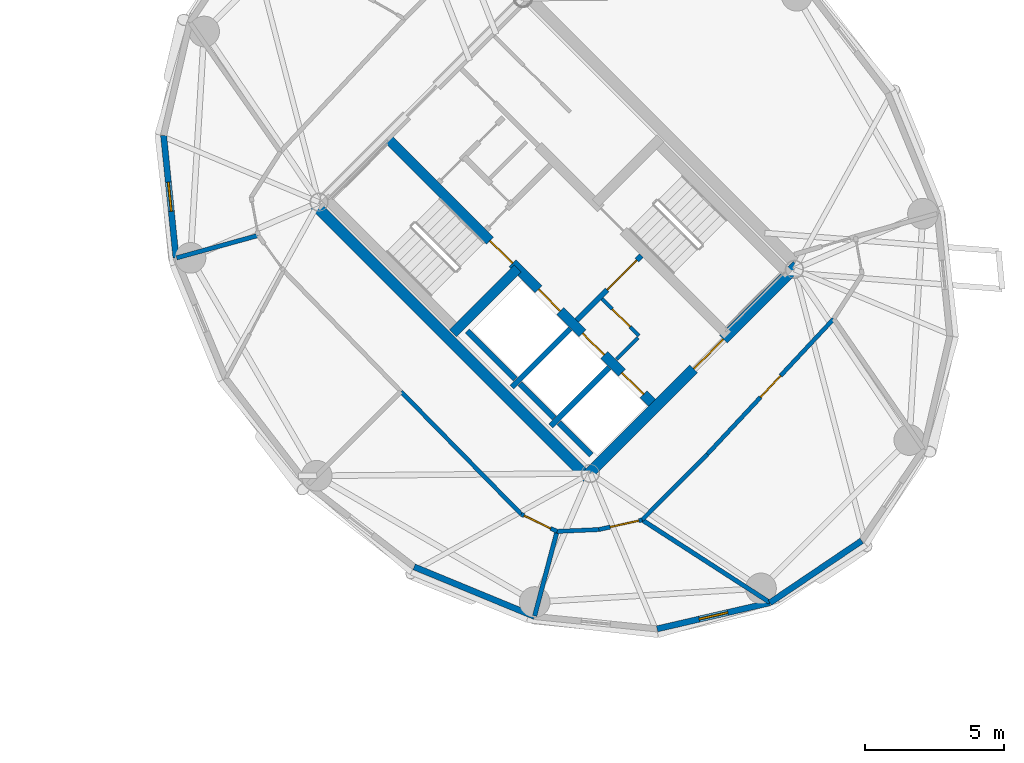
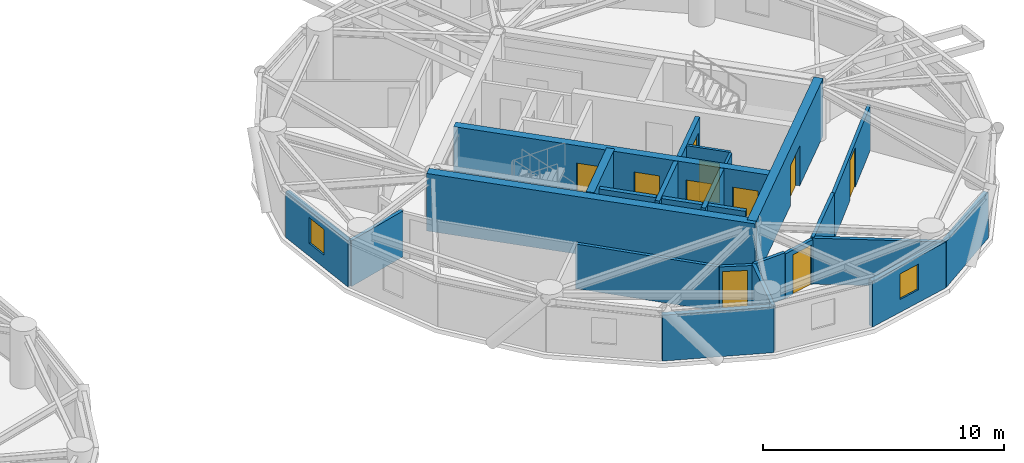
# One storey, part 11 of 16: 25 walls, 10 doors, 2 windows, 12 openings.
"""IFC4 building model written with IfcOpenShell, lengths in metres."""

from ifc_helpers import new_model, si_unit, direction, frame, frame_2d, origin, place, context, subcontext, project, spatial, rectangle, extrude, source, transform, mapped, material, layer, layer_set, type_object, element, fill, save


model = new_model("IFC4")

# Units and contexts
model_context = context("Model", 3, precision=1e-05, world=origin(), true_north=direction((0.0, 1.0)))
body_context = subcontext(model_context, "Body", "Model", "MODEL_VIEW")
ifc_project = project(units=[si_unit("LENGTHUNIT", "METRE"), si_unit("AREAUNIT", "SQUARE_METRE"), si_unit("VOLUMEUNIT", "CUBIC_METRE"), si_unit("PLANEANGLEUNIT", "RADIAN"), si_unit("MASSUNIT", "GRAM", prefix="KILO")], contexts=[model_context])

# Site, building, storey
site_placement = place(None, origin())
site = spatial("IfcSite", under=ifc_project, at=site_placement, CompositionType="ELEMENT")
building_placement = place(site_placement, origin())
building = spatial("IfcBuilding", under=site, at=building_placement, Name="Cununo Teusaquillo Station Towers", CompositionType="ELEMENT")
storey_placement = place(building_placement, frame((0.0, 0.0, 211.2099609375)))
storey = spatial("IfcBuildingStorey", under=building, at=storey_placement, Name="L67", CompositionType="ELEMENT", Elevation=211.2099609375)

# Walls
ifc_material_1 = material(Name="Concrete C50/60", Category="concrete")
ifc_layer_1 = layer(ifc_material_1, 0.199951171875)
ifc_layer_set_1 = layer_set([ifc_layer_1], Name="Concrete C50/60")
wall_type_1 = type_object("IfcWallType", Name="WL-CORE-200", PredefinedType="SHEAR", material=ifc_layer_set_1)
wall_1_placement = place(storey_placement, frame((55.8876953125, 19.0693359375, 0.0), z_axis=(0.0, 0.0, 1.0), x_axis=(0.707106781187, 0.707106781187, 0.0)))
element("IfcWall", 1, at=wall_1_placement, inside=storey, type_object=wall_type_1, Name="L67 Tower B Firefighting Lift Shaft South Shear Wall", PredefinedType="SHEAR", context=body_context, shape_type="SweptSolid", body=[
    extrude(rectangle(XDim=2.969970703125, YDim=0.199951171875, at=frame_2d((1.48486328125, 0.0))), origin(), (0.0, 0.0, 1.0), 2.91015625),
])
wall_2_placement = place(storey_placement, frame((56.01513671875, 19.366455078125, 0.0), z_axis=(0.0, 0.0, 1.0), x_axis=(-0.707106781187, 0.707106781187, 0.0)))
element("IfcWall", 2, at=wall_2_placement, inside=storey, type_object=wall_type_1, Name="L67 Tower B Firefighting Lift Shaft Rear Shear Wall", PredefinedType="SHEAR", context=body_context, shape_type="SweptSolid", body=[
    extrude(rectangle(XDim=2.43994140625, YDim=0.199951171875, at=frame_2d((1.219970703125, 0.0))), origin(), (0.0, 0.0, 1.0), 2.91015625),
])
wall_3_placement = place(storey_placement, frame((57.2841796875, 17.6728515625, 0.0), z_axis=(0.0, 0.0, 1.0), x_axis=(0.707147878904, 0.70706568108, 0.0)))
element("IfcWall", 3, at=wall_3_placement, inside=storey, type_object=wall_type_1, Name="L67 Tower B High-Rise Lift Hoistway Divider Shear Wall", PredefinedType="SHEAR", context=body_context, shape_type="SweptSolid", body=[
    extrude(rectangle(XDim=2.97021484375, YDim=0.199951171875, at=frame_2d((1.485107421875, 0.0))), origin(), (0.0, 0.0, 1.0), 2.91015625),
])
wall_4_placement = place(storey_placement, frame((57.41162109375, 17.969970703125, 0.0), z_axis=(0.0, 0.0, 1.0), x_axis=(-0.707106781187, 0.707106781187, 0.0)))
element("IfcWall", 4, at=wall_4_placement, inside=storey, type_object=wall_type_1, Name="L67 Tower B High-Rise Lift 2 Shaft Rear Shear Wall", PredefinedType="SHEAR", context=body_context, shape_type="SweptSolid", body=[
    extrude(rectangle(XDim=1.73486328125, YDim=0.199951171875, at=frame_2d((0.867431640625, 0.0))), origin(), (0.0, 0.0, 1.0), 2.91015625),
])
wall_5_placement = place(storey_placement, frame((58.7373046875, 16.64404296875, 0.0), z_axis=(0.0, 0.0, 1.0), x_axis=(-0.707032117043, 0.707181437447, 0.0)))
element("IfcWall", 5, at=wall_5_placement, inside=storey, type_object=wall_type_1, Name="L67 Tower B High-Rise Lift 1 Shaft Rear Shear Wall", PredefinedType="SHEAR", context=body_context, shape_type="SweptSolid", body=[
    extrude(rectangle(XDim=1.635009765625, YDim=0.199951171875, at=frame_2d((0.8173828125, 0.0))), origin(), (0.0, 0.0, 1.0), 2.91015625),
])

# Wall, openings, doors
ifc_material_2 = material(Name="Concrete C50/60", Category="concrete")
ifc_layer_2 = layer(ifc_material_2, 0.35009765625)
ifc_layer_set_2 = layer_set([ifc_layer_2], Name="Concrete C50/60")
wall_type_2 = type_object("IfcWallType", Name="WL-CORE-350", PredefinedType="SHEAR", material=ifc_layer_set_2)
wall_6_placement = place(storey_placement, frame((61.060302734375, 18.372802734375, 0.0), z_axis=(0.0, 0.0, 1.0), x_axis=(-0.707106781187, 0.707106781187, 0.0)))
wall_6 = element("IfcWall", 6, at=wall_6_placement, inside=storey, type_object=wall_type_2, Name="L67 Tower B Core Shear Wall IW", PredefinedType="SHEAR", context=body_context, shape_type="SweptSolid", body=[
    extrude(rectangle(XDim=13.7001953125, YDim=0.35009765625, at=frame_2d((6.85009765625, 0.0))), origin(), (0.0, 0.0, 1.0), 2.91015625),
])
shared_shape_1 = source(origin(), body_context, "Body", "SweptSolid", [
    extrude(rectangle(XDim=1.10009765625, YDim=2.014892578125, at=frame_2d((0.550048828125, 1.00732421875))), frame((0.0, 0.18505859375, 0.0), z_axis=(0.0, -1.0, 0.0), x_axis=(1.0, 0.0, 0.0)), (0.0, 0.0, 1.0), 0.3701171875),
])
opening_1_placement = place(wall_6_placement, frame((4.85009765625, 0.0, 0.0)))
opening_1 = element("IfcOpeningElement", 7, at=opening_1_placement, cuts=wall_6, Name="Opening LD-01", PredefinedType="OPENING", context=body_context, shape_type="MappedRepresentation", body=[
    mapped(shared_shape_1, transform((0.0, 0.0, 0.0), x_axis=(1.0, 0.0, 0.0), y_axis=(0.0, 1.0, 0.0), z_axis=(0.0, 0.0, 1.0), scale=1.0)),
])
opening_2_placement = place(wall_6_placement, frame((0.625, 0.0, 0.0)))
opening_2 = element("IfcOpeningElement", 8, at=opening_2_placement, cuts=wall_6, Name="Opening LD-01", PredefinedType="OPENING", context=body_context, shape_type="MappedRepresentation", body=[
    mapped(shared_shape_1, transform((0.0, 0.0, 0.0), x_axis=(1.0, 0.0, 0.0), y_axis=(0.0, 1.0, 0.0), z_axis=(0.0, 0.0, 1.0), scale=1.0)),
])
opening_3_placement = place(wall_6_placement, frame((2.625, 0.0, 0.0)))
opening_3 = element("IfcOpeningElement", 9, at=opening_3_placement, cuts=wall_6, Name="Opening LD-01", PredefinedType="OPENING", context=body_context, shape_type="MappedRepresentation", body=[
    mapped(shared_shape_1, transform((0.0, 0.0, 0.0), x_axis=(1.0, 0.0, 0.0), y_axis=(0.0, 1.0, 0.0), z_axis=(0.0, 0.0, 1.0), scale=1.0)),
])
shared_shape_2 = source(origin(), body_context, "Body", "SweptSolid", [
    extrude(rectangle(XDim=1.14990234375, YDim=2.02001953125, at=frame_2d((0.574951171875, 1.010009765625))), frame((0.0, 0.18505859375, 0.0), z_axis=(0.0, -1.0, 0.0), x_axis=(1.0, 0.0, 0.0)), (0.0, 0.0, 1.0), 0.3701171875),
])
opening_4_placement = place(wall_6_placement, frame((7.27001953125, 0.0, 0.0)))
opening_4 = element("IfcOpeningElement", 10, at=opening_4_placement, cuts=wall_6, Name="Opening D-ST1", PredefinedType="OPENING", context=body_context, shape_type="MappedRepresentation", body=[
    mapped(shared_shape_2, transform((0.0, 0.0, 0.0), x_axis=(1.0, 0.0, 0.0), y_axis=(0.0, 1.0, 0.0), z_axis=(0.0, 0.0, 1.0), scale=1.0)),
])
ifc_material_3 = material(Name="Galvanised fire-rated hollow steel door assembly", Category="steel")
door_type_1 = type_object("IfcDoorType", Name="DR-LIFT-1100", OperationType="SLIDING_TO_LEFT", PredefinedType="DOOR", material=ifc_material_3)
shared_shape_3 = source(origin(), body_context, "Body", "SweptSolid", [
    extrude(rectangle(XDim=1.10009765625, YDim=2.014892578125, at=frame_2d((0.550048828125, 1.00732421875))), frame((0.0, 0.02490234375, 0.0), z_axis=(0.0, -1.0, 0.0), x_axis=(1.0, 0.0, 0.0)), (0.0, 0.0, 1.0), 0.050048828125),
])
door_1_placement = place(opening_1_placement, origin())
door_1 = element("IfcDoor", 11, at=door_1_placement, inside=storey, type_object=door_type_1, Name="L67 Lift FL-T2 Sliding Landing Door", OperationType="SLIDING_TO_LEFT", OverallHeight=2.014892578125, OverallWidth=1.10009765625, PredefinedType="DOOR", context=body_context, shape_type="MappedRepresentation", body=[
    mapped(shared_shape_3, transform((0.0, 0.0, 0.0), x_axis=(1.0, 0.0, 0.0), y_axis=(0.0, 1.0, 0.0), z_axis=(0.0, 0.0, 1.0), scale=1.0)),
])
fill(opening_1, door_1)
door_2_placement = place(opening_2_placement, origin())
door_2 = element("IfcDoor", 12, at=door_2_placement, inside=storey, type_object=door_type_1, Name="L67 Lift PL-T2-H1 Sliding Landing Door", OperationType="SLIDING_TO_LEFT", OverallHeight=2.014892578125, OverallWidth=1.10009765625, PredefinedType="DOOR", context=body_context, shape_type="MappedRepresentation", body=[
    mapped(shared_shape_3, transform((0.0, 0.0, 0.0), x_axis=(1.0, 0.0, 0.0), y_axis=(0.0, 1.0, 0.0), z_axis=(0.0, 0.0, 1.0), scale=1.0)),
])
fill(opening_2, door_2)
door_3_placement = place(opening_3_placement, origin())
door_3 = element("IfcDoor", 13, at=door_3_placement, inside=storey, type_object=door_type_1, Name="L67 Lift PL-T2-H2 Sliding Landing Door", OperationType="SLIDING_TO_RIGHT", OverallHeight=2.014892578125, OverallWidth=1.10009765625, PredefinedType="DOOR", context=body_context, shape_type="MappedRepresentation", body=[
    mapped(shared_shape_3, transform((0.0, 0.0, 0.0), x_axis=(1.0, 0.0, 0.0), y_axis=(0.0, 1.0, 0.0), z_axis=(0.0, 0.0, 1.0), scale=1.0)),
])
fill(opening_3, door_3)
ifc_material_4 = material(Name="Galvanised fire-rated hollow steel door assembly", Category="steel")
door_type_2 = type_object("IfcDoorType", Name="DR-STAIR-1150", OperationType="NOTDEFINED", PredefinedType="DOOR", material=ifc_material_4)
shared_shape_4 = source(origin(), body_context, "Body", "SweptSolid", [
    extrude(rectangle(XDim=1.14990234375, YDim=2.02001953125, at=frame_2d((0.574951171875, 1.010009765625))), frame((0.0, 0.02490234375, 0.0), z_axis=(0.0, -1.0, 0.0), x_axis=(1.0, 0.0, 0.0)), (0.0, 0.0, 1.0), 0.050048828125),
])
door_4_placement = place(opening_4_placement, origin())
door_4 = element("IfcDoor", 14, at=door_4_placement, inside=storey, type_object=door_type_2, Name="L67 Tower B Exit Stair 1 Fire Door", OperationType="SINGLE_SWING_LEFT", OverallHeight=2.02001953125, OverallWidth=1.14990234375, PredefinedType="DOOR", context=body_context, shape_type="MappedRepresentation", body=[
    mapped(shared_shape_4, transform((0.0, 0.0, 0.0), x_axis=(1.0, 0.0, 0.0), y_axis=(0.0, 1.0, 0.0), z_axis=(0.0, 0.0, 1.0), scale=1.0)),
])
fill(opening_4, door_4)

# Walls
wall_7_placement = place(storey_placement, frame((53.7841796875, 21.00341796875, 0.0), z_axis=(0.0, 0.0, 1.0), x_axis=(0.707106781187, 0.707106781187, 0.0)))
element("IfcWall", 15, at=wall_7_placement, inside=storey, type_object=wall_type_2, Name="L67 Tower B Core Shear Wall ST1S", PredefinedType="SHEAR", context=body_context, shape_type="SweptSolid", body=[
    extrude(rectangle(XDim=3.284912109375, YDim=0.35009765625, at=frame_2d((1.642578125, 0.0))), origin(), (0.0, 0.0, 1.0), 2.91015625),
])
ifc_material_5 = material(Name="Concrete C50/60", Category="concrete")
ifc_layer_3 = layer(ifc_material_5, 0.39990234375)
ifc_layer_set_3 = layer_set([ifc_layer_3], Name="Concrete C50/60")
wall_type_3 = type_object("IfcWallType", Name="WL-CORE-400", PredefinedType="SHEAR", material=ifc_layer_set_3)
wall_8_placement = place(storey_placement, frame((58.7021484375, 15.73193359375, 0.0), z_axis=(0.0, 0.0, 1.0), x_axis=(-0.707106781187, 0.707106781187, 0.0)))
element("IfcWall", 16, at=wall_8_placement, inside=storey, type_object=wall_type_3, Name="L67 Tower B Core Shear Wall W", PredefinedType="SHEAR", context=body_context, shape_type="SweptSolid", body=[
    extrude(rectangle(XDim=14.10009765625, YDim=0.39990234375, at=frame_2d((7.050048828125, 0.0))), origin(), (0.0, 0.0, 1.0), 2.91015625),
])

# Wall, opening, door
wall_9_placement = place(storey_placement, frame((58.560791015625, 15.873291015625, 0.0), z_axis=(0.0, 0.0, 1.0), x_axis=(0.707106781187, 0.707106781187, 0.0)))
wall_9 = element("IfcWall", 17, at=wall_9_placement, inside=storey, type_object=wall_type_3, Name="L67 Tower B Core Shear Wall S", PredefinedType="SHEAR", context=body_context, shape_type="SweptSolid", body=[
    extrude(rectangle(XDim=10.69970703125, YDim=0.39990234375, at=frame_2d((5.349853515625, 0.0))), origin(), (0.0, 0.0, 1.0), 2.91015625),
])
shared_shape_5 = source(origin(), body_context, "Body", "SweptSolid", [
    extrude(rectangle(XDim=1.5, YDim=2.02001953125, at=frame_2d((0.75, 1.010009765625))), frame((0.0, 0.2099609375, 0.0), z_axis=(0.0, -1.0, 0.0), x_axis=(1.0, 0.0, 0.0)), (0.0, 0.0, 1.0), 0.419921875),
])
opening_5_placement = place(wall_9_placement, frame((5.449951171875, 0.0, 0.0)))
opening_5 = element("IfcOpeningElement", 18, at=opening_5_placement, cuts=wall_9, Name="Opening D-LB1", PredefinedType="OPENING", context=body_context, shape_type="MappedRepresentation", body=[
    mapped(shared_shape_5, transform((0.0, 0.0, 0.0), x_axis=(1.0, 0.0, 0.0), y_axis=(0.0, 1.0, 0.0), z_axis=(0.0, 0.0, 1.0), scale=1.0)),
])
ifc_material_6 = material(Name="Galvanised fire-rated hollow steel door assembly", Category="steel")
door_type_3 = type_object("IfcDoorType", Name="DR-LOBBY-1500", OperationType="DOUBLE_DOOR_SINGLE_SWING", PredefinedType="DOOR", material=ifc_material_6)
shared_shape_6 = source(origin(), body_context, "Body", "SweptSolid", [
    extrude(rectangle(XDim=1.5, YDim=2.02001953125, at=frame_2d((0.75, 1.010009765625))), frame((0.0, 0.02490234375, 0.0), z_axis=(0.0, -1.0, 0.0), x_axis=(1.0, 0.0, 0.0)), (0.0, 0.0, 1.0), 0.050048828125),
])
door_5_placement = place(opening_5_placement, origin())
door_5 = element("IfcDoor", 19, at=door_5_placement, inside=storey, type_object=door_type_3, Name="L67 Tower B South Core Lift Lobby Door", OperationType="DOUBLE_DOOR_SINGLE_SWING", OverallHeight=2.02001953125, OverallWidth=1.5, PredefinedType="DOOR", context=body_context, shape_type="MappedRepresentation", body=[
    mapped(shared_shape_6, transform((0.0, 0.0, 0.0), x_axis=(1.0, 0.0, 0.0), y_axis=(0.0, 1.0, 0.0), z_axis=(0.0, 0.0, 1.0), scale=1.0)),
])
fill(opening_5, door_5)

# Wall, opening, window
ifc_material_7 = material(Name="Precast concrete C40/50", Category="concrete")
ifc_layer_4 = layer(ifc_material_7, 0.219970703125)
ifc_layer_set_4 = layer_set([ifc_layer_4], Name="Precast concrete C40/50")
wall_type_4 = type_object("IfcWallType", Name="WL-EXT-220", PredefinedType="SOLIDWALL", material=ifc_layer_set_4)
wall_10_placement = place(storey_placement, frame((43.84521484375, 23.70458984375, 0.0), z_axis=(0.0, 0.0, 1.0), x_axis=(-0.100570534541, 0.994929930991, 0.0)))
wall_10 = element("IfcWall", 20, at=wall_10_placement, inside=storey, type_object=wall_type_4, Name="L67 Tower B Exterior Facade Wall C07", PredefinedType="SOLIDWALL", context=body_context, shape_type="SweptSolid", body=[
    extrude(rectangle(XDim=4.418212890625, YDim=0.219970703125, at=frame_2d((2.208984375, 0.0))), origin(), (0.0, 0.0, 1.0), 2.322021484375),
])
shared_shape_7 = source(origin(), body_context, "Body", "SweptSolid", [
    extrude(rectangle(XDim=1.050048828125, YDim=1.300048828125, at=frame_2d((0.52490234375, 0.64990234375))), frame((0.0, 0.119873046875, 0.0), z_axis=(0.0, -1.0, 0.0), x_axis=(1.0, 0.0, 0.0)), (0.0, 0.0, 1.0), 0.239990234375),
])
opening_6_placement = place(wall_10_placement, frame((1.68408203125, 0.0, 0.64990234375)))
opening_6 = element("IfcOpeningElement", 21, at=opening_6_placement, cuts=wall_10, Name="Opening WN-04", PredefinedType="OPENING", context=body_context, shape_type="MappedRepresentation", body=[
    mapped(shared_shape_7, transform((0.0, 0.0, 0.0), x_axis=(1.0, 0.0, 0.0), y_axis=(0.0, 1.0, 0.0), z_axis=(0.0, 0.0, 1.0), scale=1.0)),
])
ifc_material_8 = material(Name="Operable acoustic tinted low-E double glazing", Category="glass")
window_type = type_object("IfcWindowType", Name="WIN-BAL-1050", PartitioningType="SINGLE_PANEL", PredefinedType="WINDOW", material=ifc_material_8)
shared_shape_8 = source(origin(), body_context, "Body", "SweptSolid", [
    extrude(rectangle(XDim=1.050048828125, YDim=1.300048828125, at=frame_2d((0.52490234375, 0.64990234375))), frame((0.0, 0.030029296875, 0.0), z_axis=(0.0, -1.0, 0.0), x_axis=(1.0, 0.0, 0.0)), (0.0, 0.0, 1.0), 0.06005859375),
])
window_1_placement = place(opening_6_placement, origin())
window_1 = element("IfcWindow", 22, at=window_1_placement, inside=storey, type_object=window_type, Name="L67 Tower B Facade Window C07", OverallHeight=1.300048828125, OverallWidth=1.050048828125, PartitioningType="SINGLE_PANEL", PredefinedType="WINDOW", context=body_context, shape_type="MappedRepresentation", body=[
    mapped(shared_shape_8, transform((0.0, 0.0, 0.0), x_axis=(1.0, 0.0, 0.0), y_axis=(0.0, 1.0, 0.0), z_axis=(0.0, 0.0, 1.0), scale=1.0)),
])
fill(opening_6, window_1)

# Wall
wall_11_placement = place(storey_placement, frame((56.70458984375, 10.84521484375, 0.0), z_axis=(0.0, 0.0, 1.0), x_axis=(-0.924447353237, 0.381309704956, 0.0)))
element("IfcWall", 23, at=wall_11_placement, inside=storey, type_object=wall_type_4, Name="L67 Tower B Exterior Facade Wall C11", PredefinedType="SOLIDWALL", context=body_context, shape_type="SweptSolid", body=[
    extrude(rectangle(XDim=4.670654296875, YDim=0.219970703125, at=frame_2d((2.33544921875, 0.0))), origin(), (0.0, 0.0, 1.0), 2.322021484375),
])

# Wall, opening, window
wall_12_placement = place(storey_placement, frame((65.143798828125, 11.336669921875, 0.0), z_axis=(0.0, 0.0, 1.0), x_axis=(-0.974249228678, -0.225473813158, 0.0)))
wall_12 = element("IfcWall", 24, at=wall_12_placement, inside=storey, type_object=wall_type_4, Name="L67 Tower B Exterior Facade Wall C13", PredefinedType="SOLIDWALL", context=body_context, shape_type="SweptSolid", body=[
    extrude(rectangle(XDim=4.150390625, YDim=0.219970703125, at=frame_2d((2.0751953125, 0.0))), origin(), (0.0, 0.0, 1.0), 2.322021484375),
])
opening_7_placement = place(wall_12_placement, frame((1.550048828125, 0.0, 0.64990234375)))
opening_7 = element("IfcOpeningElement", 25, at=opening_7_placement, cuts=wall_12, Name="Opening WN-04", PredefinedType="OPENING", context=body_context, shape_type="MappedRepresentation", body=[
    mapped(shared_shape_7, transform((0.0, 0.0, 0.0), x_axis=(1.0, 0.0, 0.0), y_axis=(0.0, 1.0, 0.0), z_axis=(0.0, 0.0, 1.0), scale=1.0)),
])
window_2_placement = place(opening_7_placement, origin())
window_2 = element("IfcWindow", 26, at=window_2_placement, inside=storey, type_object=window_type, Name="L67 Tower B Facade Window C13", OverallHeight=1.300048828125, OverallWidth=1.050048828125, PartitioningType="SINGLE_PANEL", PredefinedType="WINDOW", context=body_context, shape_type="MappedRepresentation", body=[
    mapped(shared_shape_8, transform((0.0, 0.0, 0.0), x_axis=(1.0, 0.0, 0.0), y_axis=(0.0, 1.0, 0.0), z_axis=(0.0, 0.0, 1.0), scale=1.0)),
])
fill(opening_7, window_2)

# Wall
wall_13_placement = place(storey_placement, frame((68.43896484375, 13.56103515625, 0.0), z_axis=(0.0, 0.0, 1.0), x_axis=(-0.828833723692, -0.559495003079, 0.0)))
element("IfcWall", 27, at=wall_13_placement, inside=storey, type_object=wall_type_4, Name="L67 Tower B Exterior Facade Wall C14", PredefinedType="SOLIDWALL", context=body_context, shape_type="SweptSolid", body=[
    extrude(rectangle(XDim=3.9755859375, YDim=0.219970703125, at=frame_2d((1.98779296875, 0.0))), origin(), (0.0, 0.0, 1.0), 2.322021484375),
])

# Wall, opening, door
ifc_material_9 = material(Name="Fire-rated gypsum plasterboard partition assembly", Category="gypsum")
ifc_layer_5 = layer(ifc_material_9, 0.125)
ifc_layer_set_5 = layer_set([ifc_layer_5], Name="Fire-rated gypsum plasterboard partition assembly")
wall_type_5 = type_object("IfcWallType", Name="WL-PART-125", PredefinedType="PARTITIONING", material=ifc_layer_set_5)
wall_14_placement = place(storey_placement, frame((60.448486328125, 20.9150390625, 0.0), z_axis=(0.0, 0.0, 1.0), x_axis=(-0.707106781187, 0.707106781187, 0.0)))
wall_14 = element("IfcWall", 28, at=wall_14_placement, inside=storey, type_object=wall_type_5, Name="L67 Tower B North-West Lobby Store East Wall", PredefinedType="PARTITIONING", context=body_context, shape_type="SweptSolid", body=[
    extrude(rectangle(XDim=1.869873046875, YDim=0.125, at=frame_2d((0.93505859375, 0.0))), origin(), (0.0, 0.0, 1.0), 2.68505859375),
])
shared_shape_9 = source(origin(), body_context, "Body", "SweptSolid", [
    extrude(rectangle(XDim=0.89990234375, YDim=2.0048828125, at=frame_2d((0.449951171875, 1.00244140625))), frame((0.0, 0.072509765625, 0.0), z_axis=(0.0, -1.0, 0.0), x_axis=(1.0, 0.0, 0.0)), (0.0, 0.0, 1.0), 0.14501953125),
])
opening_8_placement = place(wall_14_placement, frame((0.449951171875, 0.0, 0.0)))
opening_8 = element("IfcOpeningElement", 29, at=opening_8_placement, cuts=wall_14, Name="Opening D-SR1", PredefinedType="OPENING", context=body_context, shape_type="MappedRepresentation", body=[
    mapped(shared_shape_9, transform((0.0, 0.0, 0.0), x_axis=(1.0, 0.0, 0.0), y_axis=(0.0, 1.0, 0.0), z_axis=(0.0, 0.0, 1.0), scale=1.0)),
])
ifc_material_10 = material(Name="Galvanised fire-rated hollow steel door assembly", Category="steel")
door_type_4 = type_object("IfcDoorType", Name="DR-STORE-900", OperationType="NOTDEFINED", PredefinedType="DOOR", material=ifc_material_10)
shared_shape_10 = source(origin(), body_context, "Body", "SweptSolid", [
    extrude(rectangle(XDim=0.89990234375, YDim=2.0048828125, at=frame_2d((0.449951171875, 1.00244140625))), frame((0.0, 0.02490234375, 0.0), z_axis=(0.0, -1.0, 0.0), x_axis=(1.0, 0.0, 0.0)), (0.0, 0.0, 1.0), 0.050048828125),
])
door_6_placement = place(opening_8_placement, origin())
door_6 = element("IfcDoor", 30, at=door_6_placement, inside=storey, type_object=door_type_4, Name="L67 Tower B South Lobby Data Store Door", OperationType="SINGLE_SWING_LEFT", OverallHeight=2.0048828125, OverallWidth=0.89990234375, PredefinedType="DOOR", context=body_context, shape_type="MappedRepresentation", body=[
    mapped(shared_shape_10, transform((0.0, 0.0, 0.0), x_axis=(1.0, 0.0, 0.0), y_axis=(0.0, 1.0, 0.0), z_axis=(0.0, 0.0, 1.0), scale=1.0)),
])
fill(opening_8, door_6)

# Walls
wall_15_placement = place(storey_placement, frame((59.642578125, 20.06640625, 0.0), z_axis=(0.0, 0.0, 1.0), x_axis=(0.707106781187, 0.707106781187, 0.0)))
element("IfcWall", 31, at=wall_15_placement, inside=storey, type_object=wall_type_5, Name="L67 Tower B North-West Lobby Store South Wall", PredefinedType="PARTITIONING", context=body_context, shape_type="SweptSolid", body=[
    extrude(rectangle(XDim=1.10009765625, YDim=0.125, at=frame_2d((0.550048828125, 0.0))), origin(), (0.0, 0.0, 1.0), 2.68505859375),
])
ifc_material_11 = material(Name="Fire-rated gypsum plasterboard partition assembly", Category="gypsum")
ifc_layer_6 = layer(ifc_material_11, 0.14990234375)
ifc_layer_set_6 = layer_set([ifc_layer_6], Name="Fire-rated gypsum plasterboard partition assembly")
wall_type_6 = type_object("IfcWallType", Name="WL-PART-150", PredefinedType="PARTITIONING", material=ifc_layer_set_6)
wall_16_placement = place(storey_placement, frame((51.913818359375, 18.913818359375, 0.0), z_axis=(0.0, 0.0, 1.0), x_axis=(0.699999313799, -0.714143515465, 0.0)))
element("IfcWall", 32, at=wall_16_placement, inside=storey, type_object=wall_type_6, Name="L67 Tower B Corridor Ring Wall C10", PredefinedType="PARTITIONING", context=body_context, shape_type="SweptSolid", body=[
    extrude(rectangle(XDim=6.162109375, YDim=0.14990234375, at=frame_2d((3.0810546875, 0.0))), origin(), (0.0, 0.0, 1.0), 2.255126953125),
])

# Wall, opening, door
wall_17_placement = place(storey_placement, frame((56.227294921875, 14.51318359375, 0.0), z_axis=(0.0, 0.0, 1.0), x_axis=(0.901477579283, -0.432825801044, 0.0)))
wall_17 = element("IfcWall", 33, at=wall_17_placement, inside=storey, type_object=wall_type_6, Name="L67 Tower B Corridor Ring Wall C11", PredefinedType="PARTITIONING", context=body_context, shape_type="SweptSolid", body=[
    extrude(rectangle(XDim=1.42431640625, YDim=0.14990234375, at=frame_2d((0.712158203125, 0.0))), origin(), (0.0, 0.0, 1.0), 2.255126953125),
])
shared_shape_11 = source(origin(), body_context, "Body", "SweptSolid", [
    extrude(rectangle(XDim=1.050048828125, YDim=2.014892578125, at=frame_2d((0.52490234375, 1.00732421875))), frame((0.0, 0.0849609375, 0.0), z_axis=(0.0, -1.0, 0.0), x_axis=(1.0, 0.0, 0.0)), (0.0, 0.0, 1.0), 0.169921875),
])
opening_9_placement = place(wall_17_placement, frame((0.1201171875, 0.0, 0.0)))
opening_9 = element("IfcOpeningElement", 34, at=opening_9_placement, cuts=wall_17, Name="Opening D-SU1", PredefinedType="OPENING", context=body_context, shape_type="MappedRepresentation", body=[
    mapped(shared_shape_11, transform((0.0, 0.0, 0.0), x_axis=(1.0, 0.0, 0.0), y_axis=(0.0, 1.0, 0.0), z_axis=(0.0, 0.0, 1.0), scale=1.0)),
])
ifc_material_12 = material(Name="Acoustic solid-core hardwood leaf assembly", Category="wood")
door_type_5 = type_object("IfcDoorType", Name="DR-SUITE-1050", OperationType="NOTDEFINED", PredefinedType="DOOR", material=ifc_material_12)
shared_shape_12 = source(origin(), body_context, "Body", "SweptSolid", [
    extrude(rectangle(XDim=1.050048828125, YDim=2.014892578125, at=frame_2d((0.52490234375, 1.00732421875))), frame((0.0, 0.02490234375, 0.0), z_axis=(0.0, -1.0, 0.0), x_axis=(1.0, 0.0, 0.0)), (0.0, 0.0, 1.0), 0.050048828125),
])
door_7_placement = place(opening_9_placement, origin())
door_7 = element("IfcDoor", 35, at=door_7_placement, inside=storey, type_object=door_type_5, Name="L67 Tower B Fellows Research Library Entrance Door", OperationType="SINGLE_SWING_RIGHT", OverallHeight=2.014892578125, OverallWidth=1.050048828125, PredefinedType="DOOR", context=body_context, shape_type="MappedRepresentation", body=[
    mapped(shared_shape_12, transform((0.0, 0.0, 0.0), x_axis=(1.0, 0.0, 0.0), y_axis=(0.0, 1.0, 0.0), z_axis=(0.0, 0.0, 1.0), scale=1.0)),
])
fill(opening_9, door_7)

# Wall
wall_18_placement = place(storey_placement, frame((57.51123046875, 13.896728515625, 0.0), z_axis=(0.0, 0.0, 1.0), x_axis=(0.999024538494, 0.044158481476, 0.0)))
element("IfcWall", 36, at=wall_18_placement, inside=storey, type_object=wall_type_6, Name="L67 Tower B Corridor Ring Wall C12", PredefinedType="PARTITIONING", context=body_context, shape_type="SweptSolid", body=[
    extrude(rectangle(XDim=1.498291015625, YDim=0.14990234375, at=frame_2d((0.7490234375, 0.0))), origin(), (0.0, 0.0, 1.0), 2.322021484375),
])

# Wall, opening, door
wall_19_placement = place(storey_placement, frame((59.008056640625, 13.962890625, 0.0), z_axis=(0.0, 0.0, 1.0), x_axis=(0.976020856791, 0.21767702476, 0.0)))
wall_19 = element("IfcWall", 37, at=wall_19_placement, inside=storey, type_object=wall_type_6, Name="L67 Tower B Corridor Ring Wall C13", PredefinedType="PARTITIONING", context=body_context, shape_type="SweptSolid", body=[
    extrude(rectangle(XDim=1.592529296875, YDim=0.14990234375, at=frame_2d((0.79638671875, 0.0))), origin(), (0.0, 0.0, 1.0), 2.255126953125),
])
opening_10_placement = place(wall_19_placement, frame((0.4228515625, 0.0, 0.0)))
opening_10 = element("IfcOpeningElement", 38, at=opening_10_placement, cuts=wall_19, Name="Opening D-SU1", PredefinedType="OPENING", context=body_context, shape_type="MappedRepresentation", body=[
    mapped(shared_shape_11, transform((0.0, 0.0, 0.0), x_axis=(1.0, 0.0, 0.0), y_axis=(0.0, 1.0, 0.0), z_axis=(0.0, 0.0, 1.0), scale=1.0)),
])
door_8_placement = place(opening_10_placement, origin())
door_8 = element("IfcDoor", 39, at=door_8_placement, inside=storey, type_object=door_type_5, Name="L67 Tower B Summit Catering Pantry Entrance Door", OperationType="SINGLE_SWING_LEFT", OverallHeight=2.014892578125, OverallWidth=1.050048828125, PredefinedType="DOOR", context=body_context, shape_type="MappedRepresentation", body=[
    mapped(shared_shape_12, transform((0.0, 0.0, 0.0), x_axis=(1.0, 0.0, 0.0), y_axis=(0.0, 1.0, 0.0), z_axis=(0.0, 0.0, 1.0), scale=1.0)),
])
fill(opening_10, door_8)

# Wall
wall_20_placement = place(storey_placement, frame((60.5625, 14.3095703125, 0.0), z_axis=(0.0, 0.0, 1.0), x_axis=(0.704566236161, 0.709638230975, 0.0)))
element("IfcWall", 40, at=wall_20_placement, inside=storey, type_object=wall_type_6, Name="L67 Tower B Corridor Ring Wall C14", PredefinedType="PARTITIONING", context=body_context, shape_type="SweptSolid", body=[
    extrude(rectangle(XDim=3.3212890625, YDim=0.14990234375, at=frame_2d((1.66064453125, 0.0))), origin(), (0.0, 0.0, 1.0), 2.322021484375),
])

# Wall, opening, door
wall_21_placement = place(storey_placement, frame((62.902587890625, 16.66650390625, 0.0), z_axis=(0.0, 0.0, 1.0), x_axis=(0.682371947497, 0.731005147225, 0.0)))
wall_21 = element("IfcWall", 41, at=wall_21_placement, inside=storey, type_object=wall_type_6, Name="L67 Tower B Corridor Ring Wall C15", PredefinedType="PARTITIONING", context=body_context, shape_type="SweptSolid", body=[
    extrude(rectangle(XDim=6.6416015625, YDim=0.14990234375, at=frame_2d((3.32080078125, 0.0))), origin(), (0.0, 0.0, 1.0), 2.255126953125),
])
opening_11_placement = place(wall_21_placement, frame((2.7958984375, 0.0, 0.0)))
opening_11 = element("IfcOpeningElement", 42, at=opening_11_placement, cuts=wall_21, Name="Opening D-SU1", PredefinedType="OPENING", context=body_context, shape_type="MappedRepresentation", body=[
    mapped(shared_shape_11, transform((0.0, 0.0, 0.0), x_axis=(1.0, 0.0, 0.0), y_axis=(0.0, 1.0, 0.0), z_axis=(0.0, 0.0, 1.0), scale=1.0)),
])
door_9_placement = place(opening_11_placement, origin())
door_9 = element("IfcDoor", 43, at=door_9_placement, inside=storey, type_object=door_type_5, Name="L67 Tower B Protocol Archive Room Entrance Door", OperationType="SINGLE_SWING_RIGHT", OverallHeight=2.014892578125, OverallWidth=1.050048828125, PredefinedType="DOOR", context=body_context, shape_type="MappedRepresentation", body=[
    mapped(shared_shape_12, transform((0.0, 0.0, 0.0), x_axis=(1.0, 0.0, 0.0), y_axis=(0.0, 1.0, 0.0), z_axis=(0.0, 0.0, 1.0), scale=1.0)),
])
fill(opening_11, door_9)

# Walls
ifc_material_13 = material(Name="Fire-rated gypsum plasterboard partition assembly", Category="gypsum")
ifc_layer_7 = layer(ifc_material_13, 0.159912109375)
ifc_layer_set_7 = layer_set([ifc_layer_7], Name="Fire-rated gypsum plasterboard partition assembly")
wall_type_7 = type_object("IfcWallType", Name="WL-PART-160", PredefinedType="PARTITIONING", material=ifc_layer_set_7)
wall_22_placement = place(storey_placement, frame((46.79541015625, 24.512939453125, 0.0), z_axis=(0.0, 0.0, 1.0), x_axis=(-0.964263392178, -0.264945485912, 0.0)))
element("IfcWall", 44, at=wall_22_placement, inside=storey, type_object=wall_type_7, Name="L67 Tower B Radial Suite Partition R04", PredefinedType="PARTITIONING", context=body_context, shape_type="SweptSolid", body=[
    extrude(rectangle(XDim=3.0390625, YDim=0.159912109375, at=frame_2d((1.51953125, 0.0))), origin(), (0.0, 0.0, 1.0), 2.322021484375),
])
wall_23_placement = place(storey_placement, frame((57.51123046875, 13.896728515625, 0.0), z_axis=(0.0, 0.0, 1.0), x_axis=(-0.256174967125, -0.966630428974, 0.0)))
element("IfcWall", 45, at=wall_23_placement, inside=storey, type_object=wall_type_7, Name="L67 Tower B Radial Suite Partition R06", PredefinedType="PARTITIONING", context=body_context, shape_type="SweptSolid", body=[
    extrude(rectangle(XDim=3.136474609375, YDim=0.159912109375, at=frame_2d((1.568359375, 0.0))), origin(), (0.0, 0.0, 1.0), 2.322021484375),
])
wall_24_placement = place(storey_placement, frame((60.5625, 14.3095703125, 0.0), z_axis=(0.0, 0.0, 1.0), x_axis=(0.839858797161, -0.542804938105, 0.0)))
element("IfcWall", 46, at=wall_24_placement, inside=storey, type_object=wall_type_7, Name="L67 Tower B Radial Suite Partition R07", PredefinedType="PARTITIONING", context=body_context, shape_type="SweptSolid", body=[
    extrude(rectangle(XDim=5.444091796875, YDim=0.159912109375, at=frame_2d((2.72216796875, 0.0))), origin(), (0.0, 0.0, 1.0), 2.322021484375),
])

# Wall, opening, door
ifc_material_14 = material(Name="Fire-rated gypsum plasterboard partition assembly", Category="gypsum")
ifc_layer_8 = layer(ifc_material_14, 0.199951171875)
ifc_layer_set_8 = layer_set([ifc_layer_8], Name="Fire-rated gypsum plasterboard partition assembly")
wall_type_8 = type_object("IfcWallType", Name="WL-PART-200", PredefinedType="PARTITIONING", material=ifc_layer_set_8)
wall_25_placement = place(storey_placement, frame((58.214111328125, 21.466552734375, 0.0), z_axis=(0.0, 0.0, 1.0), x_axis=(0.707106781187, 0.707106781187, 0.0)))
wall_25 = element("IfcWall", 47, at=wall_25_placement, inside=storey, type_object=wall_type_8, Name="L67 Tower B Firefighting Lift Lobby South Fire Wall", PredefinedType="PARTITIONING", context=body_context, shape_type="SweptSolid", body=[
    extrude(rectangle(XDim=3.280029296875, YDim=0.199951171875, at=frame_2d((1.64013671875, 0.0))), origin(), (0.0, 0.0, 1.0), 2.68505859375),
])
shared_shape_13 = source(origin(), body_context, "Body", "SweptSolid", [
    extrude(rectangle(XDim=1.5, YDim=2.02001953125, at=frame_2d((0.75, 1.010009765625))), frame((0.0, 0.10986328125, 0.0), z_axis=(0.0, -1.0, 0.0), x_axis=(1.0, 0.0, 0.0)), (0.0, 0.0, 1.0), 0.219970703125),
])
opening_12_placement = place(wall_25_placement, frame((1.550048828125, 0.0, 0.0)))
opening_12 = element("IfcOpeningElement", 48, at=opening_12_placement, cuts=wall_25, Name="Opening D-LB1", PredefinedType="OPENING", context=body_context, shape_type="MappedRepresentation", body=[
    mapped(shared_shape_13, transform((0.0, 0.0, 0.0), x_axis=(1.0, 0.0, 0.0), y_axis=(0.0, 1.0, 0.0), z_axis=(0.0, 0.0, 1.0), scale=1.0)),
])
door_10_placement = place(opening_12_placement, origin())
door_10 = element("IfcDoor", 49, at=door_10_placement, inside=storey, type_object=door_type_3, Name="L67 Tower B Firefighting Lift Lobby South Fire Door", OperationType="DOUBLE_DOOR_SINGLE_SWING", OverallHeight=2.02001953125, OverallWidth=1.5, PredefinedType="DOOR", context=body_context, shape_type="MappedRepresentation", body=[
    mapped(shared_shape_6, transform((0.0, 0.0, 0.0), x_axis=(1.0, 0.0, 0.0), y_axis=(0.0, 1.0, 0.0), z_axis=(0.0, 0.0, 1.0), scale=1.0)),
])
fill(opening_12, door_10)

save(model, "model.ifc")
